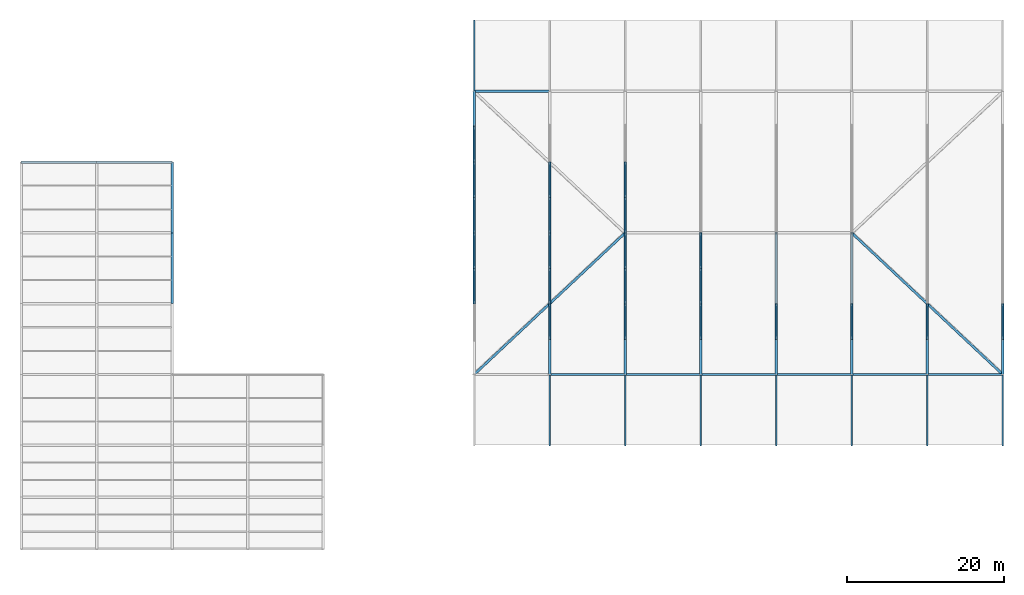
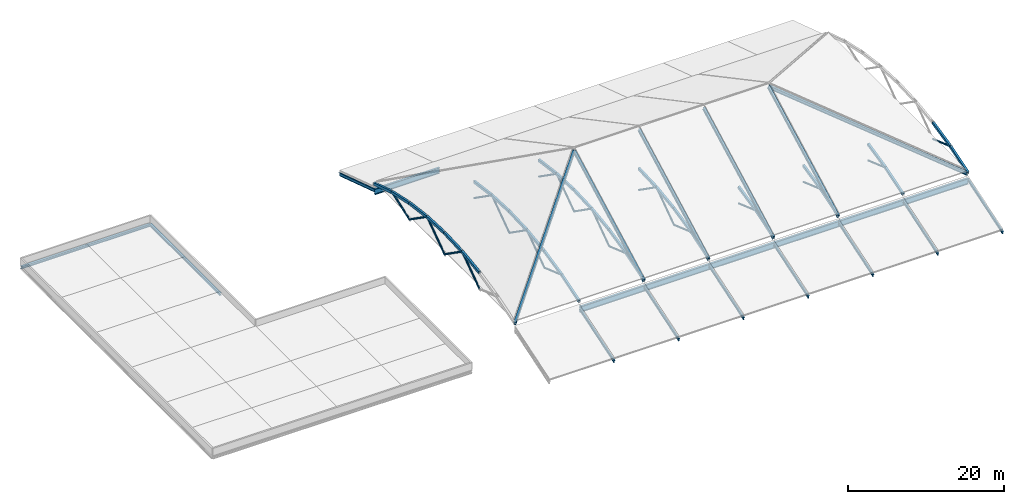
# One storey, part 2 of 16: 52 members, 25 beams.
"""IFC4 building model written with IfcOpenShell, lengths in metres."""

from ifc_helpers import new_model, si_unit, direction, frame, origin, origin_2d, place, context, subcontext, project, spatial, hollow_rectangle, hollow_circle, i_section, extrude, material, material_profile, profile_set, type_object, element, save


model = new_model("IFC4")

# Units and contexts
model_context = context("Model", 3, precision=1e-05, world=origin(), true_north=direction((0.0, 1.0)))
body_context = subcontext(model_context, "Body", "Model", "MODEL_VIEW")
ifc_project = project(units=[si_unit("LENGTHUNIT", "METRE"), si_unit("AREAUNIT", "SQUARE_METRE"), si_unit("VOLUMEUNIT", "CUBIC_METRE"), si_unit("PLANEANGLEUNIT", "RADIAN"), si_unit("MASSUNIT", "GRAM", prefix="KILO")], contexts=[model_context])

# Site, building, storey
site_placement = place(None, origin())
site = spatial("IfcSite", under=ifc_project, at=site_placement, CompositionType="ELEMENT")
building_placement = place(site_placement, origin())
building = spatial("IfcBuilding", under=site, at=building_placement, Name="Zarnetskaya Central Station", CompositionType="ELEMENT")
storey_placement = place(building_placement, frame((0.0, 0.0, 27.0)))
storey = spatial("IfcBuildingStorey", under=building, at=storey_placement, Name="RF", CompositionType="ELEMENT", Elevation=27.0)

# Beams
ifc_material = material(Name="Steel S355", Category="steel")
ifc_material_profile_1 = material_profile(ifc_material, i_section(OverallWidth=0.18994140625, OverallDepth=0.449951171875, WebThickness=0.009521484375, FlangeThickness=0.0146484375, FilletRadius=0.02099609375, at=origin_2d()), Name="IPE 450")
ifc_profile_set_1 = profile_set([ifc_material_profile_1], Name="Steel S355")
beam_type_1 = type_object("IfcBeamType", Name="BM-EAVE-RAKER", PredefinedType="BEAM", material=ifc_profile_set_1)
for number, where, z_axis, x_axis, name in (
    (1, (57.60009765625, 67.199951171875, -16.85009765625), (0.0, -0.951184133272, 0.308623953398), (1.0, 0.0, 0.0), "Hall north eave raker G"),
    (2, (67.199951171875, 13.199951171875, -16.85009765625), (0.0, 0.951184133272, 0.308623953398), (-1.0, 0.0, 0.0), "Hall south eave raker H"),
    (3, (76.800048828125, 13.199951171875, -16.85009765625), (0.0, 0.951184133272, 0.308623953398), (-1.0, 0.0, 0.0), "Hall south eave raker J"),
    (4, (86.39990234375, 13.199951171875, -16.85009765625), (0.0, 0.951184133272, 0.308623953398), (-1.0, 0.0, 0.0), "Hall south eave raker K"),
    (5, (96.0, 13.199951171875, -16.85009765625), (0.0, 0.951184133272, 0.308623953398), (-1.0, 0.0, 0.0), "Hall south eave raker L"),
    (6, (105.60009765625, 13.199951171875, -16.85009765625), (0.0, 0.951184133272, 0.308623953398), (-1.0, 0.0, 0.0), "Hall south eave raker M"),
    (7, (115.199951171875, 13.199951171875, -16.85009765625), (0.0, 0.951184133272, 0.308623953398), (-1.0, 0.0, 0.0), "Hall south eave raker N"),
    (8, (124.800048828125, 13.199951171875, -16.85009765625), (0.0, 0.951184133272, 0.308623953398), (-1.0, 0.0, 0.0), "Hall south eave raker P"),
):
    element("IfcBeam", number, at=place(storey_placement, frame(where, z_axis=z_axis, x_axis=x_axis)), inside=storey, type_object=beam_type_1, Name=name, PredefinedType="BEAM", context=body_context, shape_type="SweptSolid", body=[
        extrude(i_section(OverallWidth=0.18994140625, OverallDepth=0.449951171875, WebThickness=0.009521484375, FlangeThickness=0.0146484375, FilletRadius=0.02099609375, at=origin_2d()), origin(), (0.0, 0.0, 1.0), 9.4619140625),
    ])
ifc_material_profile_2 = material_profile(ifc_material, i_section(OverallWidth=0.300048828125, OverallDepth=0.5, WebThickness=0.014404296875, FlangeThickness=0.028076171875, FilletRadius=0.027099609375, at=origin_2d()), Name="HEB 500")
ifc_profile_set_2 = profile_set([ifc_material_profile_2], Name="Steel S355")
beam_type_2 = type_object("IfcBeamType", Name="BM-HIP-RAFTER", PredefinedType="BEAM", material=ifc_profile_set_2)
for number, where, z_axis, x_axis, name in (
    (9, (76.800048828125, 22.199951171875, -13.050048828125), (0.0, 0.884384752847, 0.466758619558), (-1.0, 0.0, 0.0), "Grand hall south pitched rafter J"),
    (10, (86.39990234375, 22.199951171875, -13.050048828125), (0.0, 0.884384752847, 0.466758619558), (-1.0, 0.0, 0.0), "Grand hall south pitched rafter K"),
    (11, (96.0, 22.199951171875, -13.050048828125), (0.0, 0.884384752847, 0.466758619558), (-1.0, 0.0, 0.0), "Grand hall south pitched rafter L"),
    (12, (105.60009765625, 22.199951171875, -13.050048828125), (0.0, 0.884384752847, 0.466758619558), (-1.0, 0.0, 0.0), "Grand hall south pitched rafter M"),
):
    element("IfcBeam", number, at=place(storey_placement, frame(where, z_axis=z_axis, x_axis=x_axis)), inside=storey, type_object=beam_type_2, Name=name, PredefinedType="BEAM", context=body_context, shape_type="SweptSolid", body=[
        extrude(i_section(OverallWidth=0.300048828125, OverallDepth=0.5, WebThickness=0.014404296875, FlangeThickness=0.028076171875, FilletRadius=0.027099609375, at=origin_2d()), origin(), (0.0, 0.0, 1.0), 20.35302734375),
    ])
for number, where, z_axis, x_axis, name in (
    (13, (57.60009765625, 22.199951171875, -13.050048828125), (0.686199301132, 0.643313480842, 0.339526559333), (-0.683942054608, 0.72953633627, 0.0), "Grand hall diagonal hip rafter HR-SW"),
    (14, (124.800048828125, 22.199951171875, -13.050048828125), (-0.686199301132, 0.643313480842, 0.339526559333), (-0.683942054608, -0.72953633627, 0.0), "Grand hall diagonal hip rafter HR-SE"),
):
    element("IfcBeam", number, at=place(storey_placement, frame(where, z_axis=z_axis, x_axis=x_axis)), inside=storey, type_object=beam_type_2, Name=name, PredefinedType="BEAM", context=body_context, shape_type="SweptSolid", body=[
        extrude(i_section(OverallWidth=0.300048828125, OverallDepth=0.5, WebThickness=0.014404296875, FlangeThickness=0.028076171875, FilletRadius=0.027099609375, at=origin_2d()), origin(), (0.0, 0.0, 1.0), 27.980224609375),
    ])
ifc_material_profile_3 = material_profile(ifc_material, i_section(OverallWidth=0.300048828125, OverallDepth=0.89990234375, WebThickness=0.0185546875, FlangeThickness=0.034912109375, FilletRadius=0.030029296875, at=origin_2d()), Name="HEB 900")
ifc_profile_set_3 = profile_set([ifc_material_profile_3], Name="Steel S355")
beam_type_3 = type_object("IfcBeamType", Name="GD-HALL-RING", PredefinedType="USERDEFINED", material=ifc_profile_set_3)
beam_1_placement = place(storey_placement, frame((57.60009765625, 58.199951171875, -14.1298828125), z_axis=(1.0, 0.0, 0.0), x_axis=(0.0, 1.0, 0.0)))
element("IfcBeam", 15, at=beam_1_placement, inside=storey, type_object=beam_type_3, Name="Hall north ring girder GD-RING-N-GH", ObjectType="GIRDER", PredefinedType="USERDEFINED", context=body_context, shape_type="SweptSolid", body=[
    extrude(i_section(OverallWidth=0.300048828125, OverallDepth=0.89990234375, WebThickness=0.0185546875, FlangeThickness=0.034912109375, FilletRadius=0.030029296875, at=origin_2d()), origin(), (0.0, 0.0, 1.0), 9.599853515625),
])
beam_2_placement = place(storey_placement, frame((67.199951171875, 22.199951171875, -14.1298828125), z_axis=(1.0, 0.0, 0.0), x_axis=(0.0, 1.0, 0.0)))
element("IfcBeam", 16, at=beam_2_placement, inside=storey, type_object=beam_type_3, Name="Hall south ring girder GD-RING-S-HJ", ObjectType="GIRDER", PredefinedType="USERDEFINED", context=body_context, shape_type="SweptSolid", body=[
    extrude(i_section(OverallWidth=0.300048828125, OverallDepth=0.89990234375, WebThickness=0.0185546875, FlangeThickness=0.034912109375, FilletRadius=0.030029296875, at=origin_2d()), origin(), (0.0, 0.0, 1.0), 9.60009765625),
])
beam_3_placement = place(storey_placement, frame((76.800048828125, 22.199951171875, -14.1298828125), z_axis=(1.0, 0.0, 0.0), x_axis=(0.0, 1.0, 0.0)))
element("IfcBeam", 17, at=beam_3_placement, inside=storey, type_object=beam_type_3, Name="Hall south ring girder GD-RING-S-JK", ObjectType="GIRDER", PredefinedType="USERDEFINED", context=body_context, shape_type="SweptSolid", body=[
    extrude(i_section(OverallWidth=0.300048828125, OverallDepth=0.89990234375, WebThickness=0.0185546875, FlangeThickness=0.034912109375, FilletRadius=0.030029296875, at=origin_2d()), origin(), (0.0, 0.0, 1.0), 9.599853515625),
])
for number, where, z_axis, x_axis, name in (
    (18, (86.39990234375, 22.199951171875, -14.1298828125), (1.0, 0.0, 0.0), (0.0, 1.0, 0.0), "Hall south ring girder GD-RING-S-KL"),
    (19, (96.0, 22.199951171875, -14.1298828125), (1.0, 0.0, 0.0), (0.0, 1.0, 0.0), "Hall south ring girder GD-RING-S-LM"),
):
    element("IfcBeam", number, at=place(storey_placement, frame(where, z_axis=z_axis, x_axis=x_axis)), inside=storey, type_object=beam_type_3, Name=name, ObjectType="GIRDER", PredefinedType="USERDEFINED", context=body_context, shape_type="SweptSolid", body=[
        extrude(i_section(OverallWidth=0.300048828125, OverallDepth=0.89990234375, WebThickness=0.0185546875, FlangeThickness=0.034912109375, FilletRadius=0.030029296875, at=origin_2d()), origin(), (0.0, 0.0, 1.0), 9.60009765625),
    ])
beam_4_placement = place(storey_placement, frame((105.60009765625, 22.199951171875, -14.1298828125), z_axis=(1.0, 0.0, 0.0), x_axis=(0.0, 1.0, 0.0)))
element("IfcBeam", 20, at=beam_4_placement, inside=storey, type_object=beam_type_3, Name="Hall south ring girder GD-RING-S-MN", ObjectType="GIRDER", PredefinedType="USERDEFINED", context=body_context, shape_type="SweptSolid", body=[
    extrude(i_section(OverallWidth=0.300048828125, OverallDepth=0.89990234375, WebThickness=0.0185546875, FlangeThickness=0.034912109375, FilletRadius=0.030029296875, at=origin_2d()), origin(), (0.0, 0.0, 1.0), 9.599853515625),
])
beam_5_placement = place(storey_placement, frame((115.199951171875, 22.199951171875, -14.1298828125), z_axis=(1.0, 0.0, 0.0), x_axis=(0.0, 1.0, 0.0)))
element("IfcBeam", 21, at=beam_5_placement, inside=storey, type_object=beam_type_3, Name="Hall south ring girder GD-RING-S-NP", ObjectType="GIRDER", PredefinedType="USERDEFINED", context=body_context, shape_type="SweptSolid", body=[
    extrude(i_section(OverallWidth=0.300048828125, OverallDepth=0.89990234375, WebThickness=0.0185546875, FlangeThickness=0.034912109375, FilletRadius=0.030029296875, at=origin_2d()), origin(), (0.0, 0.0, 1.0), 9.60009765625),
])
ifc_material_profile_4 = material_profile(ifc_material, i_section(OverallWidth=0.300048828125, OverallDepth=0.389892578125, WebThickness=0.010986328125, FlangeThickness=0.01904296875, FilletRadius=0.027099609375, at=origin_2d()), Name="HEA 400")
ifc_profile_set_4 = profile_set([ifc_material_profile_4], Name="Steel S355")
beam_type_4 = type_object("IfcBeamType", Name="GD-ROOF-400", PredefinedType="USERDEFINED", material=ifc_profile_set_4)
beam_6_placement = place(storey_placement, frame((0.0, 49.199951171875, -0.405029296875), z_axis=(1.0, 0.0, 0.0), x_axis=(0.0, 1.0, 0.0)))
element("IfcBeam", 22, at=beam_6_placement, inside=storey, type_object=beam_type_4, Name="Grid girder GX-RF-7-AB", ObjectType="GIRDER", PredefinedType="USERDEFINED", context=body_context, shape_type="SweptSolid", body=[
    extrude(i_section(OverallWidth=0.300048828125, OverallDepth=0.389892578125, WebThickness=0.010986328125, FlangeThickness=0.01904296875, FilletRadius=0.027099609375, at=origin_2d()), origin(), (0.0, 0.0, 1.0), 9.60009765625),
])
beam_7_placement = place(storey_placement, frame((9.60009765625, 49.199951171875, -0.405029296875), z_axis=(1.0, 0.0, 0.0), x_axis=(0.0, 1.0, 0.0)))
element("IfcBeam", 23, at=beam_7_placement, inside=storey, type_object=beam_type_4, Name="Grid girder GX-RF-7-BC", ObjectType="GIRDER", PredefinedType="USERDEFINED", context=body_context, shape_type="SweptSolid", body=[
    extrude(i_section(OverallWidth=0.300048828125, OverallDepth=0.389892578125, WebThickness=0.010986328125, FlangeThickness=0.01904296875, FilletRadius=0.027099609375, at=origin_2d()), origin(), (0.0, 0.0, 1.0), 9.599853515625),
])
for number, where, z_axis, x_axis, name in (
    (24, (19.199951171875, 31.199951171875, -0.405029296875), (0.0, 1.0, 0.0), (-1.0, 0.0, 0.0), "Grid girder GY-RF-C-56"),
    (25, (19.199951171875, 40.199951171875, -0.405029296875), (0.0, 1.0, 0.0), (-1.0, 0.0, 0.0), "Grid girder GY-RF-C-67"),
):
    element("IfcBeam", number, at=place(storey_placement, frame(where, z_axis=z_axis, x_axis=x_axis)), inside=storey, type_object=beam_type_4, Name=name, ObjectType="GIRDER", PredefinedType="USERDEFINED", context=body_context, shape_type="SweptSolid", body=[
        extrude(i_section(OverallWidth=0.300048828125, OverallDepth=0.389892578125, WebThickness=0.010986328125, FlangeThickness=0.01904296875, FilletRadius=0.027099609375, at=origin_2d()), origin(), (0.0, 0.0, 1.0), 9.0),
    ])

# Members
ifc_material_profile_5 = material_profile(ifc_material, hollow_rectangle(XDim=0.300048828125, YDim=0.39990234375, WallThickness=0.01611328125, at=origin_2d()), Name="RHS 400x300x16")
ifc_profile_set_5 = profile_set([ifc_material_profile_5], Name="Steel S355")
member_type_1 = type_object("IfcMemberType", Name="MB-ARCH-CHORD", PredefinedType="CHORD", material=ifc_profile_set_5)
member_1_placement = place(storey_placement, frame((57.60009765625, 31.199951171875, -10.469970703125), z_axis=(0.0, 0.991525554585, 0.129911795482), x_axis=(-1.0, 0.0, 0.0)))
element("IfcMember", 26, at=member_1_placement, inside=storey, type_object=member_type_1, Name="ROOF TRUSS RT-01 arched chord 3", PredefinedType="CHORD", context=body_context, shape_type="SweptSolid", body=[
    extrude(hollow_rectangle(XDim=0.300048828125, YDim=0.39990234375, WallThickness=0.01611328125, at=origin_2d()), origin(), (0.0, 0.0, 1.0), 4.53857421875),
])
for number, where, z_axis, x_axis, name in (
    (27, (57.60009765625, 35.699951171875, -9.88037109375), (0.0, 0.999061774774, 0.043307853627), (-1.0, 0.0, 0.0), "ROOF TRUSS RT-01 arched chord 4"),
    (28, (57.60009765625, 40.199951171875, -9.685302734375), (0.0, 0.999061774774, -0.043307853627), (-1.0, 0.0, 0.0), "ROOF TRUSS RT-01 arched chord 5"),
):
    element("IfcMember", number, at=place(storey_placement, frame(where, z_axis=z_axis, x_axis=x_axis)), inside=storey, type_object=member_type_1, Name=name, PredefinedType="CHORD", context=body_context, shape_type="SweptSolid", body=[
        extrude(hollow_rectangle(XDim=0.300048828125, YDim=0.39990234375, WallThickness=0.01611328125, at=origin_2d()), origin(), (0.0, 0.0, 1.0), 4.504150390625),
    ])
member_2_placement = place(storey_placement, frame((57.60009765625, 44.699951171875, -9.88037109375), z_axis=(0.0, 0.991525554585, -0.129911795482), x_axis=(-1.0, 0.0, 0.0)))
element("IfcMember", 29, at=member_2_placement, inside=storey, type_object=member_type_1, Name="ROOF TRUSS RT-01 arched chord 6", PredefinedType="CHORD", context=body_context, shape_type="SweptSolid", body=[
    extrude(hollow_rectangle(XDim=0.300048828125, YDim=0.39990234375, WallThickness=0.01611328125, at=origin_2d()), origin(), (0.0, 0.0, 1.0), 4.53857421875),
])
member_3_placement = place(storey_placement, frame((57.60009765625, 49.199951171875, -10.469970703125), z_axis=(0.0, 0.976265510247, -0.21657713061), x_axis=(-1.0, 0.0, 0.0)))
element("IfcMember", 30, at=member_3_placement, inside=storey, type_object=member_type_1, Name="ROOF TRUSS RT-01 arched chord 7", PredefinedType="CHORD", context=body_context, shape_type="SweptSolid", body=[
    extrude(hollow_rectangle(XDim=0.300048828125, YDim=0.39990234375, WallThickness=0.01611328125, at=origin_2d()), origin(), (0.0, 0.0, 1.0), 4.609375),
])
for number, where, z_axis, x_axis, name in (
    (31, (57.60009765625, 53.699951171875, -11.46826171875), (0.0, 0.952936643217, -0.303169513662), (-1.0, 0.0, 0.0), "ROOF TRUSS RT-01 arched chord 8"),
    (32, (67.199951171875, 22.199951171875, -12.89990234375), (0.0, 0.952936643217, 0.303169513662), (-1.0, 0.0, 0.0), "ROOF TRUSS RT-02 arched chord 1"),
):
    element("IfcMember", number, at=place(storey_placement, frame(where, z_axis=z_axis, x_axis=x_axis)), inside=storey, type_object=member_type_1, Name=name, PredefinedType="CHORD", context=body_context, shape_type="SweptSolid", body=[
        extrude(hollow_rectangle(XDim=0.300048828125, YDim=0.39990234375, WallThickness=0.01611328125, at=origin_2d()), origin(), (0.0, 0.0, 1.0), 4.72216796875),
    ])
member_4_placement = place(storey_placement, frame((67.199951171875, 26.699951171875, -11.46826171875), z_axis=(0.0, 0.976265510247, 0.21657713061), x_axis=(-1.0, 0.0, 0.0)))
element("IfcMember", 33, at=member_4_placement, inside=storey, type_object=member_type_1, Name="ROOF TRUSS RT-02 arched chord 2", PredefinedType="CHORD", context=body_context, shape_type="SweptSolid", body=[
    extrude(hollow_rectangle(XDim=0.300048828125, YDim=0.39990234375, WallThickness=0.01611328125, at=origin_2d()), origin(), (0.0, 0.0, 1.0), 4.609375),
])
member_5_placement = place(storey_placement, frame((67.199951171875, 31.199951171875, -10.469970703125), z_axis=(0.0, 0.991525554585, 0.129911795482), x_axis=(-1.0, 0.0, 0.0)))
element("IfcMember", 34, at=member_5_placement, inside=storey, type_object=member_type_1, Name="ROOF TRUSS RT-02 arched chord 3", PredefinedType="CHORD", context=body_context, shape_type="SweptSolid", body=[
    extrude(hollow_rectangle(XDim=0.300048828125, YDim=0.39990234375, WallThickness=0.01611328125, at=origin_2d()), origin(), (0.0, 0.0, 1.0), 4.53857421875),
])
for number, where, z_axis, x_axis, name in (
    (35, (67.199951171875, 35.699951171875, -9.88037109375), (0.0, 0.999061774774, 0.043307853627), (-1.0, 0.0, 0.0), "ROOF TRUSS RT-02 arched chord 4"),
    (36, (67.199951171875, 40.199951171875, -9.685302734375), (0.0, 0.999061774774, -0.043307853627), (-1.0, 0.0, 0.0), "ROOF TRUSS RT-02 arched chord 5"),
):
    element("IfcMember", number, at=place(storey_placement, frame(where, z_axis=z_axis, x_axis=x_axis)), inside=storey, type_object=member_type_1, Name=name, PredefinedType="CHORD", context=body_context, shape_type="SweptSolid", body=[
        extrude(hollow_rectangle(XDim=0.300048828125, YDim=0.39990234375, WallThickness=0.01611328125, at=origin_2d()), origin(), (0.0, 0.0, 1.0), 4.504150390625),
    ])
member_6_placement = place(storey_placement, frame((67.199951171875, 44.699951171875, -9.88037109375), z_axis=(0.0, 0.991525554585, -0.129911795482), x_axis=(-1.0, 0.0, 0.0)))
element("IfcMember", 37, at=member_6_placement, inside=storey, type_object=member_type_1, Name="ROOF TRUSS RT-02 arched chord 6", PredefinedType="CHORD", context=body_context, shape_type="SweptSolid", body=[
    extrude(hollow_rectangle(XDim=0.300048828125, YDim=0.39990234375, WallThickness=0.01611328125, at=origin_2d()), origin(), (0.0, 0.0, 1.0), 4.53857421875),
])
member_7_placement = place(storey_placement, frame((76.800048828125, 22.199951171875, -12.89990234375), z_axis=(0.0, 0.952936643217, 0.303169513662), x_axis=(-1.0, 0.0, 0.0)))
element("IfcMember", 38, at=member_7_placement, inside=storey, type_object=member_type_1, Name="ROOF TRUSS RT-03 arched chord 1", PredefinedType="CHORD", context=body_context, shape_type="SweptSolid", body=[
    extrude(hollow_rectangle(XDim=0.300048828125, YDim=0.39990234375, WallThickness=0.01611328125, at=origin_2d()), origin(), (0.0, 0.0, 1.0), 4.72216796875),
])
member_8_placement = place(storey_placement, frame((76.800048828125, 26.699951171875, -11.46826171875), z_axis=(0.0, 0.976265510247, 0.21657713061), x_axis=(-1.0, 0.0, 0.0)))
element("IfcMember", 39, at=member_8_placement, inside=storey, type_object=member_type_1, Name="ROOF TRUSS RT-03 arched chord 2", PredefinedType="CHORD", context=body_context, shape_type="SweptSolid", body=[
    extrude(hollow_rectangle(XDim=0.300048828125, YDim=0.39990234375, WallThickness=0.01611328125, at=origin_2d()), origin(), (0.0, 0.0, 1.0), 4.609375),
])
member_9_placement = place(storey_placement, frame((76.800048828125, 31.199951171875, -10.469970703125), z_axis=(0.0, 0.991525554585, 0.129911795482), x_axis=(-1.0, 0.0, 0.0)))
element("IfcMember", 40, at=member_9_placement, inside=storey, type_object=member_type_1, Name="ROOF TRUSS RT-03 arched chord 3", PredefinedType="CHORD", context=body_context, shape_type="SweptSolid", body=[
    extrude(hollow_rectangle(XDim=0.300048828125, YDim=0.39990234375, WallThickness=0.01611328125, at=origin_2d()), origin(), (0.0, 0.0, 1.0), 4.53857421875),
])
for number, where, z_axis, x_axis, name in (
    (41, (76.800048828125, 35.699951171875, -9.88037109375), (0.0, 0.999061774774, 0.043307853627), (-1.0, 0.0, 0.0), "ROOF TRUSS RT-03 arched chord 4"),
    (42, (76.800048828125, 40.199951171875, -9.685302734375), (0.0, 0.999061774774, -0.043307853627), (-1.0, 0.0, 0.0), "ROOF TRUSS RT-03 arched chord 5"),
):
    element("IfcMember", number, at=place(storey_placement, frame(where, z_axis=z_axis, x_axis=x_axis)), inside=storey, type_object=member_type_1, Name=name, PredefinedType="CHORD", context=body_context, shape_type="SweptSolid", body=[
        extrude(hollow_rectangle(XDim=0.300048828125, YDim=0.39990234375, WallThickness=0.01611328125, at=origin_2d()), origin(), (0.0, 0.0, 1.0), 4.504150390625),
    ])
member_10_placement = place(storey_placement, frame((76.800048828125, 44.699951171875, -9.88037109375), z_axis=(0.0, 0.991525554585, -0.129911795482), x_axis=(-1.0, 0.0, 0.0)))
element("IfcMember", 43, at=member_10_placement, inside=storey, type_object=member_type_1, Name="ROOF TRUSS RT-03 arched chord 6", PredefinedType="CHORD", context=body_context, shape_type="SweptSolid", body=[
    extrude(hollow_rectangle(XDim=0.300048828125, YDim=0.39990234375, WallThickness=0.01611328125, at=origin_2d()), origin(), (0.0, 0.0, 1.0), 4.53857421875),
])
member_11_placement = place(storey_placement, frame((86.39990234375, 22.199951171875, -12.89990234375), z_axis=(0.0, 0.952936643217, 0.303169513662), x_axis=(-1.0, 0.0, 0.0)))
element("IfcMember", 44, at=member_11_placement, inside=storey, type_object=member_type_1, Name="ROOF TRUSS RT-04 arched chord 1", PredefinedType="CHORD", context=body_context, shape_type="SweptSolid", body=[
    extrude(hollow_rectangle(XDim=0.300048828125, YDim=0.39990234375, WallThickness=0.01611328125, at=origin_2d()), origin(), (0.0, 0.0, 1.0), 4.72216796875),
])
member_12_placement = place(storey_placement, frame((86.39990234375, 26.699951171875, -11.46826171875), z_axis=(0.0, 0.976265510247, 0.21657713061), x_axis=(-1.0, 0.0, 0.0)))
element("IfcMember", 45, at=member_12_placement, inside=storey, type_object=member_type_1, Name="ROOF TRUSS RT-04 arched chord 2", PredefinedType="CHORD", context=body_context, shape_type="SweptSolid", body=[
    extrude(hollow_rectangle(XDim=0.300048828125, YDim=0.39990234375, WallThickness=0.01611328125, at=origin_2d()), origin(), (0.0, 0.0, 1.0), 4.609375),
])
member_13_placement = place(storey_placement, frame((86.39990234375, 31.199951171875, -10.469970703125), z_axis=(0.0, 0.991525554585, 0.129911795482), x_axis=(-1.0, 0.0, 0.0)))
element("IfcMember", 46, at=member_13_placement, inside=storey, type_object=member_type_1, Name="ROOF TRUSS RT-04 arched chord 3", PredefinedType="CHORD", context=body_context, shape_type="SweptSolid", body=[
    extrude(hollow_rectangle(XDim=0.300048828125, YDim=0.39990234375, WallThickness=0.01611328125, at=origin_2d()), origin(), (0.0, 0.0, 1.0), 4.53857421875),
])
member_14_placement = place(storey_placement, frame((86.39990234375, 35.699951171875, -9.88037109375), z_axis=(0.0, 0.999061774774, 0.043307853627), x_axis=(-1.0, 0.0, 0.0)))
element("IfcMember", 47, at=member_14_placement, inside=storey, type_object=member_type_1, Name="ROOF TRUSS RT-04 arched chord 4", PredefinedType="CHORD", context=body_context, shape_type="SweptSolid", body=[
    extrude(hollow_rectangle(XDim=0.300048828125, YDim=0.39990234375, WallThickness=0.01611328125, at=origin_2d()), origin(), (0.0, 0.0, 1.0), 4.504150390625),
])
member_15_placement = place(storey_placement, frame((96.0, 22.199951171875, -12.89990234375), z_axis=(0.0, 0.952936643217, 0.303169513662), x_axis=(-1.0, 0.0, 0.0)))
element("IfcMember", 48, at=member_15_placement, inside=storey, type_object=member_type_1, Name="ROOF TRUSS RT-05 arched chord 1", PredefinedType="CHORD", context=body_context, shape_type="SweptSolid", body=[
    extrude(hollow_rectangle(XDim=0.300048828125, YDim=0.39990234375, WallThickness=0.01611328125, at=origin_2d()), origin(), (0.0, 0.0, 1.0), 4.72216796875),
])
member_16_placement = place(storey_placement, frame((96.0, 26.699951171875, -11.46826171875), z_axis=(0.0, 0.976265510247, 0.21657713061), x_axis=(-1.0, 0.0, 0.0)))
element("IfcMember", 49, at=member_16_placement, inside=storey, type_object=member_type_1, Name="ROOF TRUSS RT-05 arched chord 2", PredefinedType="CHORD", context=body_context, shape_type="SweptSolid", body=[
    extrude(hollow_rectangle(XDim=0.300048828125, YDim=0.39990234375, WallThickness=0.01611328125, at=origin_2d()), origin(), (0.0, 0.0, 1.0), 4.609375),
])
member_17_placement = place(storey_placement, frame((105.60009765625, 22.199951171875, -12.89990234375), z_axis=(0.0, 0.952936643217, 0.303169513662), x_axis=(-1.0, 0.0, 0.0)))
element("IfcMember", 50, at=member_17_placement, inside=storey, type_object=member_type_1, Name="ROOF TRUSS RT-06 arched chord 1", PredefinedType="CHORD", context=body_context, shape_type="SweptSolid", body=[
    extrude(hollow_rectangle(XDim=0.300048828125, YDim=0.39990234375, WallThickness=0.01611328125, at=origin_2d()), origin(), (0.0, 0.0, 1.0), 4.72216796875),
])
member_18_placement = place(storey_placement, frame((105.60009765625, 26.699951171875, -11.46826171875), z_axis=(0.0, 0.976265510247, 0.21657713061), x_axis=(-1.0, 0.0, 0.0)))
element("IfcMember", 51, at=member_18_placement, inside=storey, type_object=member_type_1, Name="ROOF TRUSS RT-06 arched chord 2", PredefinedType="CHORD", context=body_context, shape_type="SweptSolid", body=[
    extrude(hollow_rectangle(XDim=0.300048828125, YDim=0.39990234375, WallThickness=0.01611328125, at=origin_2d()), origin(), (0.0, 0.0, 1.0), 4.609375),
])
member_19_placement = place(storey_placement, frame((115.199951171875, 22.199951171875, -12.89990234375), z_axis=(0.0, 0.952936643217, 0.303169513662), x_axis=(-1.0, 0.0, 0.0)))
element("IfcMember", 52, at=member_19_placement, inside=storey, type_object=member_type_1, Name="ROOF TRUSS RT-07 arched chord 1", PredefinedType="CHORD", context=body_context, shape_type="SweptSolid", body=[
    extrude(hollow_rectangle(XDim=0.300048828125, YDim=0.39990234375, WallThickness=0.01611328125, at=origin_2d()), origin(), (0.0, 0.0, 1.0), 4.72216796875),
])
member_20_placement = place(storey_placement, frame((115.199951171875, 26.699951171875, -11.46826171875), z_axis=(0.0, 0.976265510247, 0.21657713061), x_axis=(-1.0, 0.0, 0.0)))
element("IfcMember", 53, at=member_20_placement, inside=storey, type_object=member_type_1, Name="ROOF TRUSS RT-07 arched chord 2", PredefinedType="CHORD", context=body_context, shape_type="SweptSolid", body=[
    extrude(hollow_rectangle(XDim=0.300048828125, YDim=0.39990234375, WallThickness=0.01611328125, at=origin_2d()), origin(), (0.0, 0.0, 1.0), 4.609375),
])
member_21_placement = place(storey_placement, frame((124.800048828125, 22.199951171875, -12.89990234375), z_axis=(0.0, 0.952936643217, 0.303169513662), x_axis=(-1.0, 0.0, 0.0)))
element("IfcMember", 54, at=member_21_placement, inside=storey, type_object=member_type_1, Name="ROOF TRUSS RT-08 arched chord 1", PredefinedType="CHORD", context=body_context, shape_type="SweptSolid", body=[
    extrude(hollow_rectangle(XDim=0.300048828125, YDim=0.39990234375, WallThickness=0.01611328125, at=origin_2d()), origin(), (0.0, 0.0, 1.0), 4.72216796875),
])
member_22_placement = place(storey_placement, frame((124.800048828125, 26.699951171875, -11.46826171875), z_axis=(0.0, 0.976265510247, 0.21657713061), x_axis=(-1.0, 0.0, 0.0)))
element("IfcMember", 55, at=member_22_placement, inside=storey, type_object=member_type_1, Name="ROOF TRUSS RT-08 arched chord 2", PredefinedType="CHORD", context=body_context, shape_type="SweptSolid", body=[
    extrude(hollow_rectangle(XDim=0.300048828125, YDim=0.39990234375, WallThickness=0.01611328125, at=origin_2d()), origin(), (0.0, 0.0, 1.0), 4.609375),
])
ifc_material_profile_6 = material_profile(ifc_material, hollow_circle(Radius=0.136474609375, WallThickness=0.012451171875, at=origin_2d()), Name="CHS 273x12.5")
ifc_profile_set_6 = profile_set([ifc_material_profile_6], Name="Steel S355")
member_type_2 = type_object("IfcMemberType", Name="MB-WEB-DIAG", PredefinedType="BRACE", material=ifc_profile_set_6)
for number, where, z_axis, x_axis, name in (
    (56, (57.60009765625, 31.199951171875, -13.050048828125), (0.0, 0.81754887578, 0.575859215183), (-1.0, 0.0, 0.0), "ROOF TRUSS RT-01 diagonal web 3"),
    (57, (57.60009765625, 40.199951171875, -13.050048828125), (0.0, -0.81754887578, 0.575859215183), (1.0, 0.0, 0.0), "ROOF TRUSS RT-01 diagonal web 4"),
    (58, (57.60009765625, 40.199951171875, -13.050048828125), (0.0, 0.81754887578, 0.575859215183), (-1.0, 0.0, 0.0), "ROOF TRUSS RT-01 diagonal web 5"),
    (59, (57.60009765625, 49.199951171875, -13.050048828125), (0.0, -0.81754887578, 0.575859215183), (1.0, 0.0, 0.0), "ROOF TRUSS RT-01 diagonal web 6"),
):
    element("IfcMember", number, at=place(storey_placement, frame(where, z_axis=z_axis, x_axis=x_axis)), inside=storey, type_object=member_type_2, Name=name, PredefinedType="BRACE", context=body_context, shape_type="SweptSolid", body=[
        extrude(hollow_circle(Radius=0.136474609375, WallThickness=0.012451171875, at=origin_2d()), origin(), (0.0, 0.0, 1.0), 5.504150390625),
    ])
for number, where, z_axis, x_axis, name in (
    (60, (57.60009765625, 49.199951171875, -13.050048828125), (0.0, 0.943413839024, 0.331617744305), (-1.0, 0.0, 0.0), "ROOF TRUSS RT-01 diagonal web 7"),
    (61, (67.199951171875, 31.199951171875, -13.050048828125), (0.0, -0.943413839024, 0.331617744305), (1.0, 0.0, 0.0), "ROOF TRUSS RT-02 diagonal web 2"),
):
    element("IfcMember", number, at=place(storey_placement, frame(where, z_axis=z_axis, x_axis=x_axis)), inside=storey, type_object=member_type_2, Name=name, PredefinedType="BRACE", context=body_context, shape_type="SweptSolid", body=[
        extrude(hollow_circle(Radius=0.136474609375, WallThickness=0.012451171875, at=origin_2d()), origin(), (0.0, 0.0, 1.0), 4.77001953125),
    ])
for number, where, z_axis, x_axis, name in (
    (62, (67.199951171875, 31.199951171875, -13.050048828125), (0.0, 0.81754887578, 0.575859215183), (-1.0, 0.0, 0.0), "ROOF TRUSS RT-02 diagonal web 3"),
    (63, (67.199951171875, 40.199951171875, -13.050048828125), (0.0, -0.81754887578, 0.575859215183), (1.0, 0.0, 0.0), "ROOF TRUSS RT-02 diagonal web 4"),
    (64, (67.199951171875, 40.199951171875, -13.050048828125), (0.0, 0.81754887578, 0.575859215183), (-1.0, 0.0, 0.0), "ROOF TRUSS RT-02 diagonal web 5"),
    (65, (67.199951171875, 49.199951171875, -13.050048828125), (0.0, -0.81754887578, 0.575859215183), (1.0, 0.0, 0.0), "ROOF TRUSS RT-02 diagonal web 6"),
):
    element("IfcMember", number, at=place(storey_placement, frame(where, z_axis=z_axis, x_axis=x_axis)), inside=storey, type_object=member_type_2, Name=name, PredefinedType="BRACE", context=body_context, shape_type="SweptSolid", body=[
        extrude(hollow_circle(Radius=0.136474609375, WallThickness=0.012451171875, at=origin_2d()), origin(), (0.0, 0.0, 1.0), 5.504150390625),
    ])
member_23_placement = place(storey_placement, frame((76.800048828125, 31.199951171875, -13.050048828125), z_axis=(0.0, -0.943413839024, 0.331617744305), x_axis=(1.0, 0.0, 0.0)))
element("IfcMember", 66, at=member_23_placement, inside=storey, type_object=member_type_2, Name="ROOF TRUSS RT-03 diagonal web 2", PredefinedType="BRACE", context=body_context, shape_type="SweptSolid", body=[
    extrude(hollow_circle(Radius=0.136474609375, WallThickness=0.012451171875, at=origin_2d()), origin(), (0.0, 0.0, 1.0), 4.77001953125),
])
for number, where, z_axis, x_axis, name in (
    (67, (76.800048828125, 31.199951171875, -13.050048828125), (0.0, 0.81754887578, 0.575859215183), (-1.0, 0.0, 0.0), "ROOF TRUSS RT-03 diagonal web 3"),
    (68, (76.800048828125, 40.199951171875, -13.050048828125), (0.0, -0.81754887578, 0.575859215183), (1.0, 0.0, 0.0), "ROOF TRUSS RT-03 diagonal web 4"),
    (69, (76.800048828125, 40.199951171875, -13.050048828125), (0.0, 0.81754887578, 0.575859215183), (-1.0, 0.0, 0.0), "ROOF TRUSS RT-03 diagonal web 5"),
    (70, (76.800048828125, 49.199951171875, -13.050048828125), (0.0, -0.81754887578, 0.575859215183), (1.0, 0.0, 0.0), "ROOF TRUSS RT-03 diagonal web 6"),
):
    element("IfcMember", number, at=place(storey_placement, frame(where, z_axis=z_axis, x_axis=x_axis)), inside=storey, type_object=member_type_2, Name=name, PredefinedType="BRACE", context=body_context, shape_type="SweptSolid", body=[
        extrude(hollow_circle(Radius=0.136474609375, WallThickness=0.012451171875, at=origin_2d()), origin(), (0.0, 0.0, 1.0), 5.504150390625),
    ])
member_24_placement = place(storey_placement, frame((86.39990234375, 31.199951171875, -13.050048828125), z_axis=(0.0, -0.943413839024, 0.331617744305), x_axis=(1.0, 0.0, 0.0)))
element("IfcMember", 71, at=member_24_placement, inside=storey, type_object=member_type_2, Name="ROOF TRUSS RT-04 diagonal web 2", PredefinedType="BRACE", context=body_context, shape_type="SweptSolid", body=[
    extrude(hollow_circle(Radius=0.136474609375, WallThickness=0.012451171875, at=origin_2d()), origin(), (0.0, 0.0, 1.0), 4.77001953125),
])
for number, where, z_axis, x_axis, name in (
    (72, (86.39990234375, 31.199951171875, -13.050048828125), (0.0, 0.81754887578, 0.575859215183), (-1.0, 0.0, 0.0), "ROOF TRUSS RT-04 diagonal web 3"),
    (73, (86.39990234375, 40.199951171875, -13.050048828125), (0.0, -0.81754887578, 0.575859215183), (1.0, 0.0, 0.0), "ROOF TRUSS RT-04 diagonal web 4"),
):
    element("IfcMember", number, at=place(storey_placement, frame(where, z_axis=z_axis, x_axis=x_axis)), inside=storey, type_object=member_type_2, Name=name, PredefinedType="BRACE", context=body_context, shape_type="SweptSolid", body=[
        extrude(hollow_circle(Radius=0.136474609375, WallThickness=0.012451171875, at=origin_2d()), origin(), (0.0, 0.0, 1.0), 5.504150390625),
    ])
for number, where, z_axis, x_axis, name in (
    (74, (96.0, 31.199951171875, -13.050048828125), (0.0, -0.943413839024, 0.331617744305), (1.0, 0.0, 0.0), "ROOF TRUSS RT-05 diagonal web 2"),
    (75, (105.60009765625, 31.199951171875, -13.050048828125), (0.0, -0.943413839024, 0.331617744305), (1.0, 0.0, 0.0), "ROOF TRUSS RT-06 diagonal web 2"),
    (76, (115.199951171875, 31.199951171875, -13.050048828125), (0.0, -0.943413839024, 0.331617744305), (1.0, 0.0, 0.0), "ROOF TRUSS RT-07 diagonal web 2"),
    (77, (124.800048828125, 31.199951171875, -13.050048828125), (0.0, -0.943413839024, 0.331617744305), (1.0, 0.0, 0.0), "ROOF TRUSS RT-08 diagonal web 2"),
):
    element("IfcMember", number, at=place(storey_placement, frame(where, z_axis=z_axis, x_axis=x_axis)), inside=storey, type_object=member_type_2, Name=name, PredefinedType="BRACE", context=body_context, shape_type="SweptSolid", body=[
        extrude(hollow_circle(Radius=0.136474609375, WallThickness=0.012451171875, at=origin_2d()), origin(), (0.0, 0.0, 1.0), 4.77001953125),
    ])

save(model, "model.ifc")
